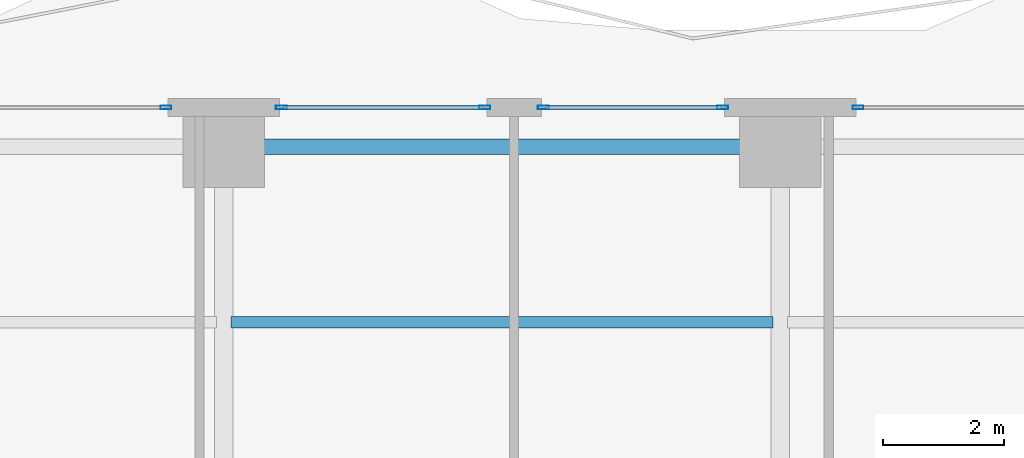
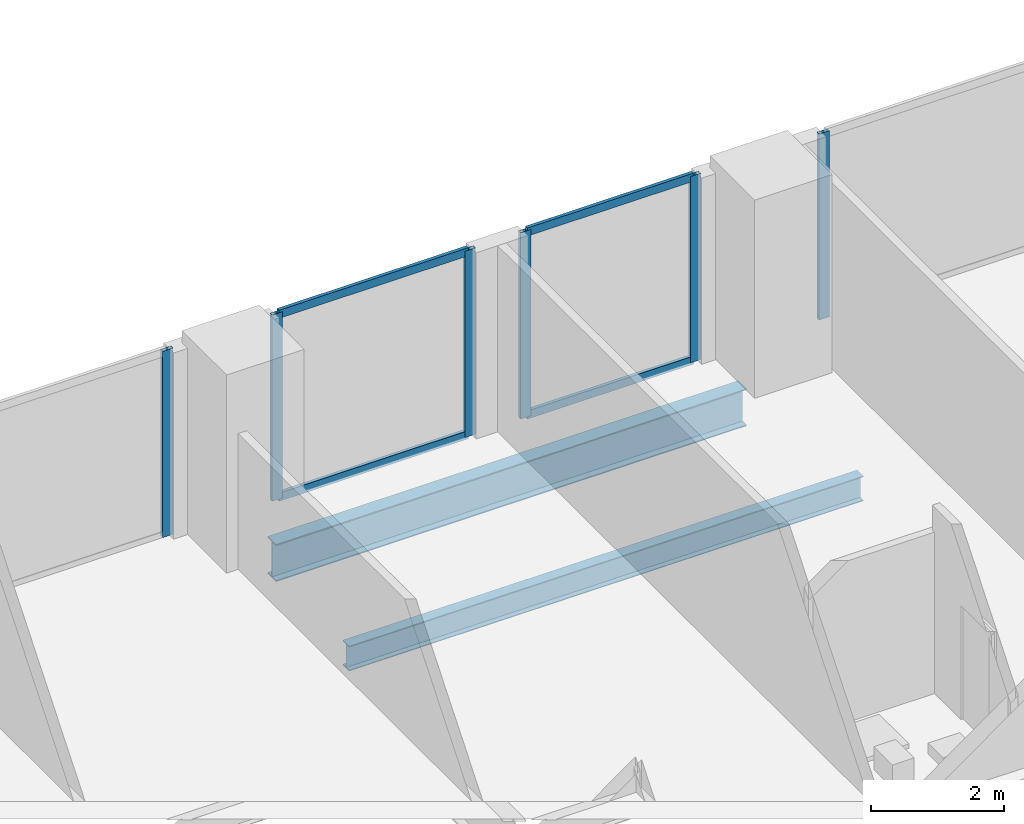
# One storey, part 17 of 29: 10 members, 2 beams, 4 elements without a shape of their own.
"""IFC4 building model written with IfcOpenShell, lengths in metres."""

from ifc_helpers import new_model, si_unit, direction, frame, origin, origin_2d, place, context, subcontext, project, spatial, hollow_rectangle, i_section, extrude, material, layer, layer_set, material_profile, profile_set, type_object, element, aggregate, save


model = new_model("IFC4")

# Units and contexts
model_context = context("Model", 3, precision=1e-05, world=origin(), true_north=direction((0.0, 1.0)))
body_context = subcontext(model_context, "Body", "Model", "MODEL_VIEW")
ifc_project = project(units=[si_unit("LENGTHUNIT", "METRE"), si_unit("AREAUNIT", "SQUARE_METRE"), si_unit("VOLUMEUNIT", "CUBIC_METRE"), si_unit("PLANEANGLEUNIT", "RADIAN"), si_unit("MASSUNIT", "GRAM", prefix="KILO")], contexts=[model_context])

# Site, building, storey
site_placement = place(None, origin())
site = spatial("IfcSite", under=ifc_project, at=site_placement, CompositionType="ELEMENT")
building_placement = place(site_placement, origin())
building = spatial("IfcBuilding", under=site, at=building_placement, Name="Zuhayl Quay Hotel", CompositionType="ELEMENT")
storey_placement = place(building_placement, frame((0.0, 0.0, 113.89990234375)))
storey = spatial("IfcBuildingStorey", under=building, at=storey_placement, Name="L28", CompositionType="ELEMENT", Elevation=113.89990234375)

# Beams
ifc_material_1 = material(Name="Steel ASTM A992 Grade 50", Category="steel")
ifc_material_profile_1 = material_profile(ifc_material_1, i_section(OverallWidth=0.25390625, OverallDepth=0.68310546875, WebThickness=0.012451171875, FlangeThickness=0.018798828125, at=origin_2d()), Name="W27X94")
ifc_profile_set_1 = profile_set([ifc_material_profile_1], Name="Steel ASTM A992 Grade 50")
beam_type_1 = type_object("IfcBeamType", Name="BM_B2_W27X94", PredefinedType="BEAM", material=ifc_profile_set_1)
beam_1_placement = place(storey_placement, frame((4.10009765625, 27.75, -0.5615234375), z_axis=(-1.0, 0.0, 0.0), x_axis=(0.0, -1.0, 0.0)))
element("IfcBeam", 1, at=beam_1_placement, inside=storey, type_object=beam_type_1, Name="L28 Floor Beam RG_L28_08", PredefinedType="BEAM", context=body_context, shape_type="SweptSolid", body=[
    extrude(i_section(OverallWidth=0.25390625, OverallDepth=0.68310546875, WebThickness=0.012451171875, FlangeThickness=0.018798828125, at=origin_2d()), origin(), (0.0, 0.0, 1.0), 8.2001953125),
])
ifc_material_profile_2 = material_profile(ifc_material_1, i_section(OverallWidth=0.18994140625, OverallDepth=0.45703125, WebThickness=0.009033203125, FlangeThickness=0.014404296875, at=origin_2d()), Name="W18X50")
ifc_profile_set_2 = profile_set([ifc_material_profile_2], Name="Steel ASTM A992 Grade 50")
beam_type_2 = type_object("IfcBeamType", Name="BM_J2_W18X50", PredefinedType="JOIST", material=ifc_profile_set_2)
beam_2_placement = place(storey_placement, frame((-4.48095703125, 24.85009765625, -0.448486328125), z_axis=(1.0, 0.0, 0.0), x_axis=(0.0, 1.0, 0.0)))
element("IfcBeam", 2, at=beam_2_placement, inside=storey, type_object=beam_type_2, Name="L28 Floor Beam FJ_L28_4_2", PredefinedType="JOIST", context=body_context, shape_type="SweptSolid", body=[
    extrude(i_section(OverallWidth=0.18994140625, OverallDepth=0.45703125, WebThickness=0.009033203125, FlangeThickness=0.014404296875, at=origin_2d()), origin(), (0.0, 0.0, 1.0), 8.9619140625),
])

# Curtain wall, member
ifc_material_2 = material(Name="Anodised Aluminium 6063-T6", Category="aluminium")
ifc_layer = layer(ifc_material_2, 0.179931640625, Name="Anodised Aluminium 6063-T6", Category="aluminium")
ifc_layer_set = layer_set([ifc_layer], Name="Anodised Aluminium 6063-T6")
curtain_wall_type = type_object("IfcCurtainWallType", Name="CW_SYS_Z2", PredefinedType="USERDEFINED", material=ifc_layer_set)
curtain_wall_1_placement = place(storey_placement, origin())
curtain_wall_1 = element("IfcCurtainWall", 3, at=curtain_wall_1_placement, inside=storey, type_object=curtain_wall_type, Name="L28 Curtain Wall ENV_L28_N_CW3", ObjectType="UNITISED CURTAIN WALL", PredefinedType="USERDEFINED")
ifc_material_3 = material(Name="Black-anodised aluminium 6063-T6", Category="aluminium")
ifc_material_profile_3 = material_profile(ifc_material_3, hollow_rectangle(XDim=0.06494140625, YDim=0.179931640625, WallThickness=0.00341796875, at=origin_2d()), Name="ALU180X65")
ifc_profile_set_3 = profile_set([ifc_material_profile_3], Name="Black-anodised aluminium 6063-T6")
member_type_1 = type_object("IfcMemberType", Name="MB_CW_MUL_180", PredefinedType="MULLION", material=ifc_profile_set_3)
member_1_placement = place(storey_placement, frame((-5.552490234375, 28.39990234375, 0.0), z_axis=(0.0, 0.0, 1.0), x_axis=(0.0, 1.0, 0.0)))
member_1 = element("IfcMember", 4, at=member_1_placement, type_object=member_type_1, Name="CW-Z2 mullion 2", PredefinedType="MULLION", context=body_context, shape_type="SweptSolid", body=[
    extrude(hollow_rectangle(XDim=0.06494140625, YDim=0.179931640625, WallThickness=0.00341796875, at=origin_2d()), origin(), (0.0, 0.0, 1.0), 3.43017578125),
])
aggregate(curtain_wall_1, [member_1])

# Curtain wall, members
curtain_wall_2_placement = place(storey_placement, origin())
curtain_wall_2 = element("IfcCurtainWall", 5, at=curtain_wall_2_placement, inside=storey, type_object=curtain_wall_type, Name="L28 Curtain Wall ENV_L28_N_CW4", ObjectType="UNITISED CURTAIN WALL", PredefinedType="USERDEFINED")
member_2_placement = place(storey_placement, frame((-3.6474609375, 28.39990234375, 0.0), z_axis=(0.0, 0.0, 1.0), x_axis=(0.0, 1.0, 0.0)))
member_2 = element("IfcMember", 6, at=member_2_placement, type_object=member_type_1, Name="CW-Z2 mullion 1", PredefinedType="MULLION", context=body_context, shape_type="SweptSolid", body=[
    extrude(hollow_rectangle(XDim=0.06494140625, YDim=0.179931640625, WallThickness=0.00341796875, at=origin_2d()), origin(), (0.0, 0.0, 1.0), 3.43017578125),
])
member_3_placement = place(storey_placement, frame((-0.282470703125, 28.39990234375, 0.0), z_axis=(0.0, 0.0, 1.0), x_axis=(0.0, 1.0, 0.0)))
member_3 = element("IfcMember", 7, at=member_3_placement, type_object=member_type_1, Name="CW-Z2 mullion 2", PredefinedType="MULLION", context=body_context, shape_type="SweptSolid", body=[
    extrude(hollow_rectangle(XDim=0.06494140625, YDim=0.179931640625, WallThickness=0.00341796875, at=origin_2d()), origin(), (0.0, 0.0, 1.0), 3.43017578125),
])

curtain_wall_3_placement = place(storey_placement, origin())
curtain_wall_3 = element("IfcCurtainWall", 8, at=curtain_wall_3_placement, inside=storey, type_object=curtain_wall_type, Name="L28 Curtain Wall ENV_L28_N_CW5", ObjectType="UNITISED CURTAIN WALL", PredefinedType="USERDEFINED")
member_4_placement = place(storey_placement, frame((0.6826171875, 28.39990234375, 0.0), z_axis=(0.0, 0.0, 1.0), x_axis=(0.0, 1.0, 0.0)))
member_4 = element("IfcMember", 9, at=member_4_placement, type_object=member_type_1, Name="CW-Z2 mullion 1", PredefinedType="MULLION", context=body_context, shape_type="SweptSolid", body=[
    extrude(hollow_rectangle(XDim=0.06494140625, YDim=0.179931640625, WallThickness=0.00341796875, at=origin_2d()), origin(), (0.0, 0.0, 1.0), 3.43017578125),
])
member_5_placement = place(storey_placement, frame((3.6474609375, 28.39990234375, 0.0), z_axis=(0.0, 0.0, 1.0), x_axis=(0.0, 1.0, 0.0)))
member_5 = element("IfcMember", 10, at=member_5_placement, type_object=member_type_1, Name="CW-Z2 mullion 2", PredefinedType="MULLION", context=body_context, shape_type="SweptSolid", body=[
    extrude(hollow_rectangle(XDim=0.06494140625, YDim=0.179931640625, WallThickness=0.00341796875, at=origin_2d()), origin(), (0.0, 0.0, 1.0), 3.43017578125),
])

# Curtain wall, member
curtain_wall_4_placement = place(storey_placement, origin())
curtain_wall_4 = element("IfcCurtainWall", 11, at=curtain_wall_4_placement, inside=storey, type_object=curtain_wall_type, Name="L28 Curtain Wall ENV_L28_N_CW6", ObjectType="UNITISED CURTAIN WALL", PredefinedType="USERDEFINED")
member_6_placement = place(storey_placement, frame((5.882568359375, 28.39990234375, 0.0), z_axis=(0.0, 0.0, 1.0), x_axis=(0.0, 1.0, 0.0)))
member_6 = element("IfcMember", 12, at=member_6_placement, type_object=member_type_1, Name="CW-Z2 mullion 1", PredefinedType="MULLION", context=body_context, shape_type="SweptSolid", body=[
    extrude(hollow_rectangle(XDim=0.06494140625, YDim=0.179931640625, WallThickness=0.00341796875, at=origin_2d()), origin(), (0.0, 0.0, 1.0), 3.43017578125),
])
aggregate(curtain_wall_4, [member_6])

# Member
ifc_material_profile_4 = material_profile(ifc_material_3, hollow_rectangle(XDim=0.06005859375, YDim=0.14990234375, WallThickness=0.00341796875, at=origin_2d()), Name="ALU150X60")
ifc_profile_set_4 = profile_set([ifc_material_profile_4], Name="Black-anodised aluminium 6063-T6")
member_type_2 = type_object("IfcMemberType", Name="MB_CW_TRN_150", PredefinedType="USERDEFINED", material=ifc_profile_set_4)
member_7_placement = place(storey_placement, frame((-3.614990234375, 28.39990234375, 0.030029296875), z_axis=(1.0, 0.0, 0.0), x_axis=(0.0, 1.0, 0.0)))
member_7 = element("IfcMember", 13, at=member_7_placement, type_object=member_type_2, Name="CW-Z2 transom 1.1", ObjectType="TRANSOM", PredefinedType="USERDEFINED", context=body_context, shape_type="SweptSolid", body=[
    extrude(hollow_rectangle(XDim=0.06005859375, YDim=0.14990234375, WallThickness=0.00341796875, at=origin_2d()), origin(), (0.0, 0.0, 1.0), 3.300048828125),
])

member_8_placement = place(storey_placement, frame((-3.614990234375, 28.39990234375, 3.400146484375), z_axis=(1.0, 0.0, 0.0), x_axis=(0.0, 1.0, 0.0)))
member_8 = element("IfcMember", 14, at=member_8_placement, type_object=member_type_2, Name="CW-Z2 transom 1.2", ObjectType="TRANSOM", PredefinedType="USERDEFINED", context=body_context, shape_type="SweptSolid", body=[
    extrude(hollow_rectangle(XDim=0.06005859375, YDim=0.14990234375, WallThickness=0.00341796875, at=origin_2d()), origin(), (0.0, 0.0, 1.0), 3.300048828125),
])

aggregate(curtain_wall_2, [member_2, member_3, member_7, member_8])

member_9_placement = place(storey_placement, frame((0.715087890625, 28.39990234375, 0.030029296875), z_axis=(1.0, 0.0, 0.0), x_axis=(0.0, 1.0, 0.0)))
member_9 = element("IfcMember", 15, at=member_9_placement, type_object=member_type_2, Name="CW-Z2 transom 1.1", ObjectType="TRANSOM", PredefinedType="USERDEFINED", context=body_context, shape_type="SweptSolid", body=[
    extrude(hollow_rectangle(XDim=0.06005859375, YDim=0.14990234375, WallThickness=0.00341796875, at=origin_2d()), origin(), (0.0, 0.0, 1.0), 2.89990234375),
])

member_10_placement = place(storey_placement, frame((0.715087890625, 28.39990234375, 3.400146484375), z_axis=(1.0, 0.0, 0.0), x_axis=(0.0, 1.0, 0.0)))
member_10 = element("IfcMember", 16, at=member_10_placement, type_object=member_type_2, Name="CW-Z2 transom 1.2", ObjectType="TRANSOM", PredefinedType="USERDEFINED", context=body_context, shape_type="SweptSolid", body=[
    extrude(hollow_rectangle(XDim=0.06005859375, YDim=0.14990234375, WallThickness=0.00341796875, at=origin_2d()), origin(), (0.0, 0.0, 1.0), 2.89990234375),
])

aggregate(curtain_wall_3, [member_4, member_5, member_9, member_10])

save(model, "model.ifc")
